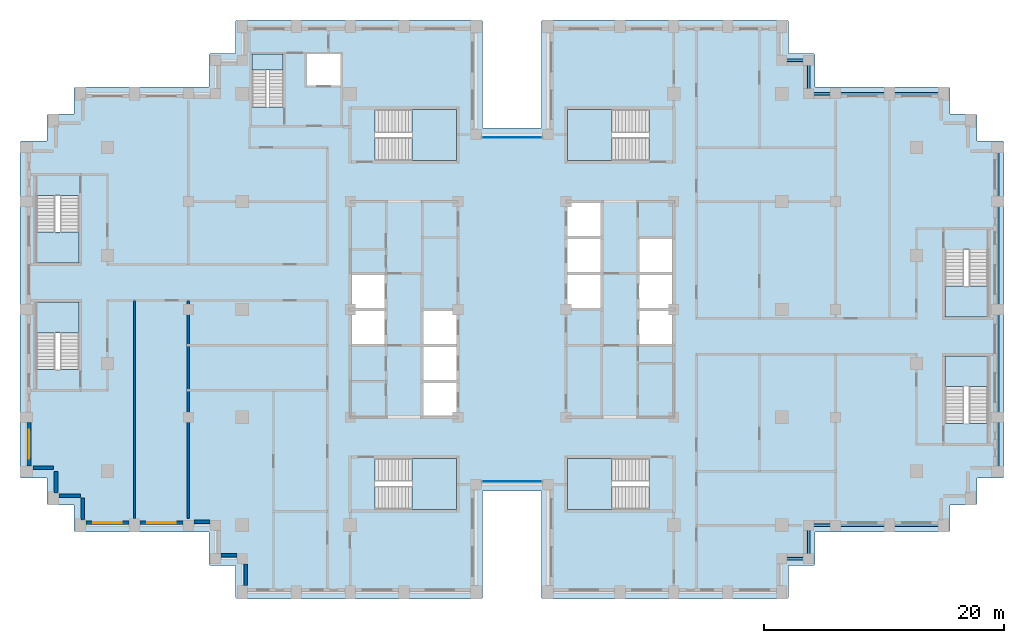
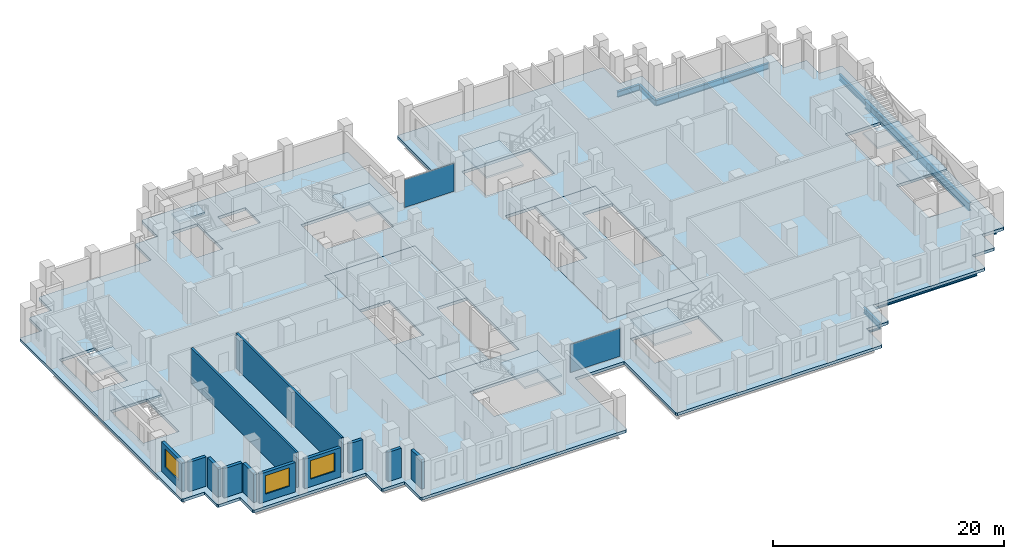
# One storey, part 5 of 15: 14 beams, 12 slabs, 12 walls, 3 windows, 2 plates, 3 openings, 11 elements without a shape of their own.
"""IFC4 building model written with IfcOpenShell, lengths in metres."""

from ifc_helpers import new_model, si_unit, direction, frame, frame_2d, origin, origin_2d, place, context, subcontext, project, spatial, polyline, rectangle, i_section, outline, extrude, material, layer, layer_set, material_profile, profile_set, type_object, element, fill, aggregate, save


model = new_model("IFC4")

# Units and contexts
model_context = context("Model", 3, precision=1e-05, world=origin(), true_north=direction((0.0, 1.0)))
body_context = subcontext(model_context, "Body", "Model", "MODEL_VIEW")
ifc_project = project(units=[si_unit("LENGTHUNIT", "METRE"), si_unit("AREAUNIT", "SQUARE_METRE"), si_unit("VOLUMEUNIT", "CUBIC_METRE"), si_unit("PLANEANGLEUNIT", "RADIAN"), si_unit("MASSUNIT", "GRAM", prefix="KILO")], contexts=[model_context])

# Site, building, storey
site_placement = place(None, origin())
site = spatial("IfcSite", under=ifc_project, at=site_placement, CompositionType="ELEMENT")
building_placement = place(site_placement, origin())
building = spatial("IfcBuilding", under=site, at=building_placement, Name="Corbelhall Arena Tower", CompositionType="ELEMENT")
storey_placement = place(building_placement, frame((0.0, 0.0, 130.0)))
storey = spatial("IfcBuildingStorey", under=building, at=storey_placement, Name="L24", CompositionType="ELEMENT", Elevation=130.0)

# Beams
ifc_material_1 = material(Name="Steel ASTM A992 Gr50", Category="steel")
ifc_material_profile_1 = material_profile(ifc_material_1, i_section(OverallWidth=0.22900390625, OverallDepth=0.612060546875, WebThickness=0.011962890625, FlangeThickness=0.01953125, at=origin_2d()))
ifc_profile_set_1 = profile_set([ifc_material_profile_1], Name="Steel ASTM A992 Gr50")
beam_type_1 = type_object("IfcBeamType", Name="ST-SPANDREL-W24x84", PredefinedType="SPANDREL", material=ifc_profile_set_1)
for number, where, z_axis, x_axis, name in (
    (1, (40.5, 13.5, -0.60595703125), (0.0, -1.0, 0.0), (1.0, 0.0, 0.0), "Beam SP 10"),
    (2, (40.5, -9.0, -0.60595703125), (0.0, -1.0, 0.0), (1.0, 0.0, 0.0), "Beam SP 11"),
    (3, (31.5, 18.0, -0.60595703125), (1.0, 0.0, 0.0), (0.0, 1.0, 0.0), "Beam SP 12"),
    (4, (31.5, -18.0, -0.60595703125), (-1.0, 0.0, 0.0), (0.0, -1.0, 0.0), "Beam SP 13"),
    (5, (36.0, -18.0, -0.60595703125), (-1.0, 0.0, 0.0), (0.0, -1.0, 0.0), "Beam SP 14"),
    (6, (27.0, 18.0, -0.60595703125), (1.0, 0.0, 0.0), (0.0, 1.0, 0.0), "Beam SP 15"),
):
    element("IfcBeam", number, at=place(storey_placement, frame(where, z_axis=z_axis, x_axis=x_axis)), inside=storey, type_object=beam_type_1, Name=name, PredefinedType="SPANDREL", context=body_context, shape_type="SweptSolid", body=[
        extrude(i_section(OverallWidth=0.22900390625, OverallDepth=0.612060546875, WebThickness=0.011962890625, FlangeThickness=0.01953125, at=origin_2d()), origin(), (0.0, 0.0, 1.0), 4.5),
    ])
for number, where, z_axis, x_axis, name in (
    (7, (27.0, -18.0, -0.60595703125), (-1.0, 0.0, 0.0), (0.0, -1.0, 0.0), "Beam SP 16"),
    (8, (22.5, 20.800048828125, -0.60595703125), (1.0, 0.0, 0.0), (0.0, 1.0, 0.0), "Beam SP 43"),
):
    element("IfcBeam", number, at=place(storey_placement, frame(where, z_axis=z_axis, x_axis=x_axis)), inside=storey, type_object=beam_type_1, Name=name, PredefinedType="SPANDREL", context=body_context, shape_type="SweptSolid", body=[
        extrude(i_section(OverallWidth=0.22900390625, OverallDepth=0.612060546875, WebThickness=0.011962890625, FlangeThickness=0.01953125, at=origin_2d()), origin(), (0.0, 0.0, 1.0), 2.25),
    ])
beam_1_placement = place(storey_placement, frame((24.75, 20.800048828125, -0.60595703125), z_axis=(0.0, -1.0, 0.0), x_axis=(1.0, 0.0, 0.0)))
element("IfcBeam", 9, at=beam_1_placement, inside=storey, type_object=beam_type_1, Name="Beam SP 44", PredefinedType="SPANDREL", context=body_context, shape_type="SweptSolid", body=[
    extrude(i_section(OverallWidth=0.22900390625, OverallDepth=0.612060546875, WebThickness=0.011962890625, FlangeThickness=0.01953125, at=origin_2d()), origin(), (0.0, 0.0, 1.0), 2.800048828125),
])
for number, where, z_axis, x_axis, name in (
    (10, (24.75, 18.0, -0.60595703125), (1.0, 0.0, 0.0), (0.0, 1.0, 0.0), "Beam SP 45"),
    (11, (24.75, -20.800048828125, -0.60595703125), (-1.0, 0.0, 0.0), (0.0, -1.0, 0.0), "Beam SP 50"),
):
    element("IfcBeam", number, at=place(storey_placement, frame(where, z_axis=z_axis, x_axis=x_axis)), inside=storey, type_object=beam_type_1, Name=name, PredefinedType="SPANDREL", context=body_context, shape_type="SweptSolid", body=[
        extrude(i_section(OverallWidth=0.22900390625, OverallDepth=0.612060546875, WebThickness=0.011962890625, FlangeThickness=0.01953125, at=origin_2d()), origin(), (0.0, 0.0, 1.0), 2.25),
    ])
beam_2_placement = place(storey_placement, frame((24.75, -18.0, -0.60595703125), z_axis=(0.0, -1.0, 0.0), x_axis=(1.0, 0.0, 0.0)))
element("IfcBeam", 12, at=beam_2_placement, inside=storey, type_object=beam_type_1, Name="Beam SP 51", PredefinedType="SPANDREL", context=body_context, shape_type="SweptSolid", body=[
    extrude(i_section(OverallWidth=0.22900390625, OverallDepth=0.612060546875, WebThickness=0.011962890625, FlangeThickness=0.01953125, at=origin_2d()), origin(), (0.0, 0.0, 1.0), 2.800048828125),
])
ifc_material_profile_2 = material_profile(ifc_material_1, i_section(OverallWidth=0.2919921875, OverallDepth=0.845703125, WebThickness=0.015380859375, FlangeThickness=0.0244140625, at=origin_2d()))
ifc_profile_set_2 = profile_set([ifc_material_profile_2], Name="Steel ASTM A992 Gr50")
beam_type_2 = type_object("IfcBeamType", Name="ST-SPANDREL-W33x141", PredefinedType="SPANDREL", material=ifc_profile_set_2)
for number, where, z_axis, x_axis, name in (
    (13, (40.5, 0.0, -0.722900390625), (0.0, -1.0, 0.0), (1.0, 0.0, 0.0), "Beam SP 8"),
    (14, (40.5, 9.0, -0.722900390625), (0.0, -1.0, 0.0), (1.0, 0.0, 0.0), "Beam SP 9"),
):
    element("IfcBeam", number, at=place(storey_placement, frame(where, z_axis=z_axis, x_axis=x_axis)), inside=storey, type_object=beam_type_2, Name=name, PredefinedType="SPANDREL", context=body_context, shape_type="SweptSolid", body=[
        extrude(i_section(OverallWidth=0.2919921875, OverallDepth=0.845703125, WebThickness=0.015380859375, FlangeThickness=0.0244140625, at=origin_2d()), origin(), (0.0, 0.0, 1.0), 9.0),
    ])

# Curtain wall, plate
ifc_material_2 = material(Name="Aluminium black anodised", Category="aluminium")
ifc_layer_1 = layer(ifc_material_2, 0.199951171875)
ifc_layer_set_1 = layer_set([ifc_layer_1], Name="EV-CW1 Slot back wall")
curtain_wall_type = type_object("IfcCurtainWallType", Name="EV-CW1 Slot back wall", PredefinedType="NOTDEFINED", material=ifc_layer_set_1)
curtain_wall_1_placement = place(storey_placement, origin())
curtain_wall_1 = element("IfcCurtainWall", 15, at=curtain_wall_1_placement, inside=storey, type_object=curtain_wall_type, Name="Curtain wall CW1", PredefinedType="NOTDEFINED")
ifc_material_3 = material(Name="Glass dark tinted laminated", Category="glass")
ifc_layer_2 = layer(ifc_material_3, 0.028076171875)
ifc_layer_set_2 = layer_set([ifc_layer_2], Name="EV-CW1-PANEL")
plate_type = type_object("IfcPlateType", Name="EV-CW1-PANEL", PredefinedType="CURTAIN_PANEL", material=ifc_layer_set_2)
plate_1_placement = place(storey_placement, frame((0.0, -14.35009765625, 0.0751953125), z_axis=(0.0, 0.0, 1.0), x_axis=(1.0, 0.0, 0.0)))
plate_1 = element("IfcPlate", 16, at=plate_1_placement, type_object=plate_type, Name="CW1 panel 1.1", PredefinedType="CURTAIN_PANEL", context=body_context, shape_type="SweptSolid", body=[
    extrude(rectangle(XDim=4.949951171875, YDim=0.028076171875, at=origin_2d()), origin(), (0.0, 0.0, 1.0), 2.949951171875),
])
aggregate(curtain_wall_1, [plate_1])

curtain_wall_2_placement = place(storey_placement, origin())
curtain_wall_2 = element("IfcCurtainWall", 17, at=curtain_wall_2_placement, inside=storey, type_object=curtain_wall_type, Name="Curtain wall CW1", PredefinedType="NOTDEFINED")
plate_2_placement = place(storey_placement, frame((0.0, 14.35009765625, 0.0751953125), z_axis=(0.0, 0.0, 1.0), x_axis=(-1.0, 0.0, 0.0)))
plate_2 = element("IfcPlate", 18, at=plate_2_placement, type_object=plate_type, Name="CW1 panel 1.1", PredefinedType="CURTAIN_PANEL", context=body_context, shape_type="SweptSolid", body=[
    extrude(rectangle(XDim=4.949951171875, YDim=0.028076171875, at=origin_2d()), origin(), (0.0, 0.0, 1.0), 2.949951171875),
])
aggregate(curtain_wall_2, [plate_2])

# Slabs
ifc_material_4 = material(Name="Concrete C40/50", Category="concrete")
ifc_layer_3 = layer(ifc_material_4, 0.300048828125)
ifc_layer_set_3 = layer_set([ifc_layer_3], Name="IN-SL-CORE")
slab_type_1 = type_object("IfcSlabType", Name="IN-SL-CORE", PredefinedType="FLOOR", material=ifc_layer_set_3)
slab_1_placement = place(storey_placement, frame((0.0, 0.0, -0.300048828125)))
element("IfcSlab", 19, at=slab_1_placement, inside=storey, type_object=slab_type_1, Name="Core floor W", PredefinedType="FLOOR", context=body_context, shape_type="SweptSolid", body=[
    extrude(outline(polyline([(-7.5, 0.0), (-4.5, 0.0), (-4.5, 9.0), (-13.5, 9.0), (-13.5, 3.0), (-10.5, 3.0), (-10.5, 0.0), (-10.5, -3.0), (-13.5, -3.0), (-13.5, -9.0), (-7.5, -9.0), (-7.5, -6.0), (-7.5, -3.0), (-7.5, 0.0)])), origin(), (0.0, 0.0, 1.0), 0.300048828125),
])
slab_2_placement = place(storey_placement, frame((0.0, 0.0, -0.300048828125)))
element("IfcSlab", 20, at=slab_2_placement, inside=storey, type_object=slab_type_1, Name="Core floor E", PredefinedType="FLOOR", context=body_context, shape_type="SweptSolid", body=[
    extrude(outline(polyline([(7.5, 0.0), (4.5, 0.0), (4.5, -9.0), (13.5, -9.0), (13.5, -3.0), (10.5, -3.0), (10.5, 0.0), (10.5, 3.0), (10.5, 6.0), (13.5, 6.0), (13.5, 9.0), (7.5, 9.0), (7.5, 6.0), (7.5, 3.0), (7.5, 0.0)])), origin(), (0.0, 0.0, 1.0), 0.300048828125),
])

# Stair, slab
stair_type = type_object("IfcStairType", Name="IN-ST-TOWER", PredefinedType="HALF_TURN_STAIR", material=ifc_material_4)
stair_1_placement = place(storey_placement, origin())
stair_1 = element("IfcStair", 21, at=stair_1_placement, inside=storey, type_object=stair_type, Name="L24 Exit stair ST1", PredefinedType="HALF_TURN_STAIR")
ifc_layer_4 = layer(ifc_material_4, 0.199951171875)
ifc_layer_set_4 = layer_set([ifc_layer_4], Name="IN-SL-LANDING")
slab_type_2 = type_object("IfcSlabType", Name="IN-SL-LANDING", PredefinedType="LANDING", material=ifc_layer_set_4)
slab_3_placement = place(storey_placement, frame((0.0, 0.0, 1.800048828125)))
slab_3 = element("IfcSlab", 22, at=slab_3_placement, type_object=slab_type_2, Name="ST1 landing 1", PredefinedType="LANDING", context=body_context, shape_type="SweptSolid", body=[
    extrude(outline(polyline([(-8.344970703125, 12.425048828125), (-4.625, 12.425048828125), (-4.625, 16.675048828125), (-8.344970703125, 16.675048828125), (-8.344970703125, 12.425048828125)])), origin(), (0.0, 0.0, 1.0), 0.199951171875),
])
aggregate(stair_1, [slab_3])

stair_2_placement = place(storey_placement, origin())
stair_2 = element("IfcStair", 23, at=stair_2_placement, inside=storey, type_object=stair_type, Name="L24 Exit stair ST2", PredefinedType="HALF_TURN_STAIR")
slab_4_placement = place(storey_placement, frame((0.0, 0.0, 1.800048828125)))
slab_4 = element("IfcSlab", 24, at=slab_4_placement, type_object=slab_type_2, Name="ST2 landing 1", PredefinedType="LANDING", context=body_context, shape_type="SweptSolid", body=[
    extrude(outline(polyline([(-8.344970703125, -16.675048828125), (-4.625, -16.675048828125), (-4.625, -12.425048828125), (-8.344970703125, -12.425048828125), (-8.344970703125, -16.675048828125)])), origin(), (0.0, 0.0, 1.0), 0.199951171875),
])
aggregate(stair_2, [slab_4])

stair_3_placement = place(storey_placement, origin())
stair_3 = element("IfcStair", 25, at=stair_3_placement, inside=storey, type_object=stair_type, Name="L24 Exit stair ST3", PredefinedType="HALF_TURN_STAIR")
slab_5_placement = place(storey_placement, frame((0.0, 0.0, 1.800048828125)))
slab_5 = element("IfcSlab", 26, at=slab_5_placement, type_object=slab_type_2, Name="ST3 landing 1", PredefinedType="LANDING", context=body_context, shape_type="SweptSolid", body=[
    extrude(outline(polyline([(8.344970703125, 16.675048828125), (4.625, 16.675048828125), (4.625, 12.425048828125), (8.344970703125, 12.425048828125), (8.344970703125, 16.675048828125)])), origin(), (0.0, 0.0, 1.0), 0.199951171875),
])
aggregate(stair_3, [slab_5])

stair_4_placement = place(storey_placement, origin())
stair_4 = element("IfcStair", 27, at=stair_4_placement, inside=storey, type_object=stair_type, Name="L24 Exit stair ST4", PredefinedType="HALF_TURN_STAIR")
slab_6_placement = place(storey_placement, frame((0.0, 0.0, 1.800048828125)))
slab_6 = element("IfcSlab", 28, at=slab_6_placement, type_object=slab_type_2, Name="ST4 landing 1", PredefinedType="LANDING", context=body_context, shape_type="SweptSolid", body=[
    extrude(outline(polyline([(8.344970703125, -12.425048828125), (4.625, -12.425048828125), (4.625, -16.675048828125), (8.344970703125, -16.675048828125), (8.344970703125, -12.425048828125)])), origin(), (0.0, 0.0, 1.0), 0.199951171875),
])
aggregate(stair_4, [slab_6])

stair_5_placement = place(storey_placement, origin())
stair_5 = element("IfcStair", 29, at=stair_5_placement, inside=storey, type_object=stair_type, Name="L24 Exit stair SC1", PredefinedType="HALF_TURN_STAIR")
slab_7_placement = place(storey_placement, frame((0.0, 0.0, 1.800048828125)))
slab_7 = element("IfcSlab", 30, at=slab_7_placement, type_object=slab_type_2, Name="SC1 landing 1", PredefinedType="LANDING", context=body_context, shape_type="SweptSolid", body=[
    extrude(outline(polyline([(-39.699951171875, 6.445068359375), (-39.699951171875, 3.875), (-36.125, 3.875), (-36.125, 6.445068359375), (-39.699951171875, 6.445068359375)])), origin(), (0.0, 0.0, 1.0), 0.199951171875),
])
aggregate(stair_5, [slab_7])

stair_6_placement = place(storey_placement, origin())
stair_6 = element("IfcStair", 31, at=stair_6_placement, inside=storey, type_object=stair_type, Name="L24 Exit stair SC2", PredefinedType="HALF_TURN_STAIR")
slab_8_placement = place(storey_placement, frame((0.0, 0.0, 1.800048828125)))
slab_8 = element("IfcSlab", 32, at=slab_8_placement, type_object=slab_type_2, Name="SC2 landing 1", PredefinedType="LANDING", context=body_context, shape_type="SweptSolid", body=[
    extrude(outline(polyline([(-36.125, -1.945068359375), (-36.125, 0.625), (-39.699951171875, 0.625), (-39.699951171875, -1.945068359375), (-36.125, -1.945068359375)])), origin(), (0.0, 0.0, 1.0), 0.199951171875),
])
aggregate(stair_6, [slab_8])

stair_7_placement = place(storey_placement, origin())
stair_7 = element("IfcStair", 33, at=stair_7_placement, inside=storey, type_object=stair_type, Name="L24 Exit stair SD1", PredefinedType="HALF_TURN_STAIR")
slab_9_placement = place(storey_placement, frame((0.0, 0.0, 1.800048828125)))
slab_9 = element("IfcSlab", 34, at=slab_9_placement, type_object=slab_type_2, Name="SD1 landing 1", PredefinedType="LANDING", context=body_context, shape_type="SweptSolid", body=[
    extrude(outline(polyline([(39.699951171875, -6.445068359375), (39.699951171875, -3.875), (36.125, -3.875), (36.125, -6.445068359375), (39.699951171875, -6.445068359375)])), origin(), (0.0, 0.0, 1.0), 0.199951171875),
])
aggregate(stair_7, [slab_9])

stair_8_placement = place(storey_placement, origin())
stair_8 = element("IfcStair", 35, at=stair_8_placement, inside=storey, type_object=stair_type, Name="L24 Exit stair SD2", PredefinedType="HALF_TURN_STAIR")
slab_10_placement = place(storey_placement, frame((0.0, 0.0, 1.800048828125)))
slab_10 = element("IfcSlab", 36, at=slab_10_placement, type_object=slab_type_2, Name="SD2 landing 1", PredefinedType="LANDING", context=body_context, shape_type="SweptSolid", body=[
    extrude(outline(polyline([(36.125, 1.945068359375), (36.125, -0.625), (39.699951171875, -0.625), (39.699951171875, 1.945068359375), (36.125, 1.945068359375)])), origin(), (0.0, 0.0, 1.0), 0.199951171875),
])
aggregate(stair_8, [slab_10])

stair_9_placement = place(storey_placement, origin())
stair_9 = element("IfcStair", 37, at=stair_9_placement, inside=storey, type_object=stair_type, Name="L24 Exit stair ST5", PredefinedType="HALF_TURN_STAIR")
slab_11_placement = place(storey_placement, frame((0.0, 0.0, 1.800048828125)))
slab_11 = element("IfcSlab", 38, at=slab_11_placement, type_object=slab_type_2, Name="ST5 landing 1", PredefinedType="LANDING", context=body_context, shape_type="SweptSolid", body=[
    extrude(outline(polyline([(-19.094970703125, 19.97998046875), (-19.094970703125, 21.300048828125), (-21.695068359375, 21.300048828125), (-21.695068359375, 19.97998046875), (-19.094970703125, 19.97998046875)])), origin(), (0.0, 0.0, 1.0), 0.199951171875),
])
aggregate(stair_9, [slab_11])

# Slab
ifc_layer_5 = layer(ifc_material_4, 0.300048828125)
ifc_layer_set_5 = layer_set([ifc_layer_5], Name="ST-SLAB-FLOOR-300")
slab_type_3 = type_object("IfcSlabType", Name="ST-SLAB-FLOOR-300", PredefinedType="FLOOR", material=ifc_layer_set_5)
slab_12_placement = place(storey_placement, frame((0.0, 0.0, -0.300048828125)))
element("IfcSlab", 39, at=slab_12_placement, inside=storey, type_object=slab_type_3, Name="Floor slab L24 1", PredefinedType="FLOOR", context=body_context, shape_type="SweptSolid", body=[
    extrude(outline(polyline([(25.300048828125, 18.550048828125), (25.300048828125, 21.25), (25.199951171875, 21.35009765625), (23.050048828125, 21.35009765625), (23.050048828125, 24.050048828125), (22.949951171875, 24.14990234375), (2.550048828125, 24.14990234375), (2.449951171875, 24.050048828125), (2.449951171875, 15.14990234375), (-2.449951171875, 15.14990234375), (-2.449951171875, 24.050048828125), (-2.550048828125, 24.14990234375), (-22.949951171875, 24.14990234375), (-23.050048828125, 24.050048828125), (-23.050048828125, 21.35009765625), (-25.199951171875, 21.35009765625), (-25.300048828125, 21.25), (-25.300048828125, 18.550048828125), (-36.449951171875, 18.550048828125), (-36.550048828125, 18.449951171875), (-36.550048828125, 16.300048828125), (-38.699951171875, 16.300048828125), (-38.800048828125, 16.199951171875), (-38.800048828125, 14.050048828125), (-40.949951171875, 14.050048828125), (-41.050048828125, 13.949951171875), (-41.050048828125, -13.949951171875), (-40.949951171875, -14.050048828125), (-38.800048828125, -14.050048828125), (-38.800048828125, -16.199951171875), (-38.699951171875, -16.300048828125), (-36.550048828125, -16.300048828125), (-36.550048828125, -18.449951171875), (-36.449951171875, -18.550048828125), (-25.300048828125, -18.550048828125), (-25.300048828125, -21.25), (-25.199951171875, -21.35009765625), (-23.050048828125, -21.35009765625), (-23.050048828125, -24.050048828125), (-22.949951171875, -24.14990234375), (-2.550048828125, -24.14990234375), (-2.449951171875, -24.050048828125), (-2.449951171875, -15.14990234375), (2.449951171875, -15.14990234375), (2.449951171875, -24.050048828125), (2.550048828125, -24.14990234375), (22.949951171875, -24.14990234375), (23.050048828125, -24.050048828125), (23.050048828125, -21.35009765625), (25.199951171875, -21.35009765625), (25.300048828125, -21.25), (25.300048828125, -18.550048828125), (36.449951171875, -18.550048828125), (36.550048828125, -18.449951171875), (36.550048828125, -16.300048828125), (38.699951171875, -16.300048828125), (38.800048828125, -16.199951171875), (38.800048828125, -14.050048828125), (40.949951171875, -14.050048828125), (41.050048828125, -13.949951171875), (41.050048828125, 13.949951171875), (40.949951171875, 14.050048828125), (38.800048828125, 14.050048828125), (38.800048828125, 16.199951171875), (38.699951171875, 16.300048828125), (36.550048828125, 16.300048828125), (36.550048828125, 18.449951171875), (36.449951171875, 18.550048828125), (25.300048828125, 18.550048828125)]), holes=[polyline([(-13.5, 9.0), (-13.5, -9.0), (-4.5, -9.0), (-4.5, 9.0), (-13.5, 9.0)]), polyline([(4.5, 9.0), (4.5, -9.0), (13.5, -9.0), (13.5, 9.0), (4.5, 9.0)]), polyline([(-4.625, 16.675048828125), (-11.422119140625, 16.675048828125), (-11.422119140625, 12.425048828125), (-4.625, 12.425048828125), (-4.625, 16.675048828125)]), polyline([(-4.625, -16.675048828125), (-4.625, -12.425048828125), (-11.422119140625, -12.425048828125), (-11.422119140625, -16.675048828125), (-4.625, -16.675048828125)]), polyline([(11.422119140625, 16.675048828125), (4.625, 16.675048828125), (4.625, 12.425048828125), (11.422119140625, 12.425048828125), (11.422119140625, 16.675048828125)]), polyline([(11.422119140625, -16.675048828125), (11.422119140625, -12.425048828125), (4.625, -12.425048828125), (4.625, -16.675048828125), (11.422119140625, -16.675048828125)]), polyline([(-36.125, 3.875), (-36.125, 9.52197265625), (-39.699951171875, 9.52197265625), (-39.699951171875, 3.875), (-36.125, 3.875)]), polyline([(-36.125, 0.625), (-39.699951171875, 0.625), (-39.699951171875, -5.02197265625), (-36.125, -5.02197265625), (-36.125, 0.625)]), polyline([(39.699951171875, -9.52197265625), (39.699951171875, -3.875), (36.125, -3.875), (36.125, -9.52197265625), (39.699951171875, -9.52197265625)]), polyline([(39.699951171875, 5.02197265625), (36.125, 5.02197265625), (36.125, -0.625), (39.699951171875, -0.625), (39.699951171875, 5.02197265625)]), polyline([(-21.695068359375, 21.300048828125), (-21.695068359375, 16.903076171875), (-19.094970703125, 16.903076171875), (-19.094970703125, 21.300048828125), (-21.695068359375, 21.300048828125)]), polyline([(-14.300048828125, 21.300048828125), (-17.10009765625, 21.300048828125), (-17.10009765625, 18.699951171875), (-14.300048828125, 18.699951171875), (-14.300048828125, 21.300048828125)])]), origin(), (0.0, 0.0, 1.0), 0.300048828125),
])

# Walls
ifc_material_5 = material(Name="Precast concrete C40/50 with granite facing", Category="masonry")
ifc_layer_6 = layer(ifc_material_5, 0.300048828125)
ifc_layer_set_6 = layer_set([ifc_layer_6], Name="EV-IW1 Infill panel 300")
wall_type_1 = type_object("IfcWallType", Name="EV-IW1 Infill panel 300", PredefinedType="SOLIDWALL", material=ifc_layer_set_6)
wall_1_placement = place(storey_placement, frame((-39.949951171875, -13.199951171875, 0.0), z_axis=(0.0, 0.0, 1.0), x_axis=(1.0, 0.0, 0.0)))
element("IfcWall", 40, at=wall_1_placement, inside=storey, type_object=wall_type_1, Name="Infill panel IW1", PredefinedType="SOLIDWALL", context=body_context, shape_type="SweptSolid", body=[
    extrude(rectangle(XDim=1.699951171875, YDim=0.300048828125, at=frame_2d((0.85009765625, 0.0))), origin(), (0.0, 0.0, 1.0), 3.10009765625),
])
for number, where, z_axis, x_axis, name in (
    (41, (-38.050048828125, -15.300048828125, 0.0), (0.0, 0.0, 1.0), (0.0, 1.0, 0.0), "Infill panel IW1"),
    (42, (-37.800048828125, -15.550048828125, 0.0), (0.0, 0.0, 1.0), (1.0, 0.0, 0.0), "Infill panel IW1"),
    (43, (-35.800048828125, -17.550048828125, 0.0), (0.0, 0.0, 1.0), (0.0, 1.0, 0.0), "Infill panel IW1"),
):
    element("IfcWall", number, at=place(storey_placement, frame(where, z_axis=z_axis, x_axis=x_axis)), inside=storey, type_object=wall_type_1, Name=name, PredefinedType="SOLIDWALL", context=body_context, shape_type="SweptSolid", body=[
        extrude(rectangle(XDim=1.800048828125, YDim=0.300048828125, at=frame_2d((0.89990234375, 0.0))), origin(), (0.0, 0.0, 1.0), 3.10009765625),
    ])

# Wall, opening, window
wall_2_placement = place(storey_placement, frame((-40.300048828125, -9.449951171875, 0.0), z_axis=(0.0, 0.0, 1.0), x_axis=(0.0, -1.0, 0.0)))
wall_2 = element("IfcWall", 44, at=wall_2_placement, inside=storey, type_object=wall_type_1, Name="Infill panel IW1", PredefinedType="SOLIDWALL", context=body_context, shape_type="SweptSolid", body=[
    extrude(rectangle(XDim=3.60009765625, YDim=0.300048828125, at=frame_2d((1.800048828125, 0.0))), origin(), (0.0, 0.0, 1.0), 3.10009765625),
])
opening_1_placement = place(wall_2_placement, frame((0.60009765625, 0.0, 0.800048828125)))
opening_1 = element("IfcOpeningElement", 45, at=opening_1_placement, cuts=wall_2, Name="Opening WN1", PredefinedType="OPENING", context=body_context, shape_type="SweptSolid", body=[
    extrude(rectangle(XDim=2.39990234375, YDim=1.949951171875, at=frame_2d((1.199951171875, 0.97509765625))), frame((0.0, 0.14990234375, 0.0), z_axis=(0.0, -1.0, 0.0), x_axis=(1.0, 0.0, 0.0)), (0.0, 0.0, 1.0), 0.300048828125),
])
window_type = type_object("IfcWindowType", Name="EV-WN1 Office window", PartitioningType="SINGLE_PANEL", PredefinedType="WINDOW", material=ifc_material_2)
window_1_placement = place(opening_1_placement, origin())
window_1 = element("IfcWindow", 46, at=window_1_placement, inside=storey, type_object=window_type, Name="Window WN1", OverallHeight=1.949951171875, OverallWidth=2.39990234375, PartitioningType="SINGLE_PANEL", PredefinedType="WINDOW", context=body_context, shape_type="SweptSolid", body=[
    extrude(rectangle(XDim=2.39990234375, YDim=1.949951171875, at=frame_2d((1.199951171875, 0.97509765625))), frame((0.0, 0.030029296875, 0.0), z_axis=(0.0, -1.0, 0.0), x_axis=(1.0, 0.0, 0.0)), (0.0, 0.0, 1.0), 0.06005859375),
])
fill(opening_1, window_1)

wall_3_placement = place(storey_placement, frame((-35.550048828125, -17.800048828125, 0.0), z_axis=(0.0, 0.0, 1.0), x_axis=(1.0, 0.0, 0.0)))
wall_3 = element("IfcWall", 47, at=wall_3_placement, inside=storey, type_object=wall_type_1, Name="Infill panel IW1", PredefinedType="SOLIDWALL", context=body_context, shape_type="SweptSolid", body=[
    extrude(rectangle(XDim=3.60009765625, YDim=0.300048828125, at=frame_2d((1.800048828125, 0.0))), origin(), (0.0, 0.0, 1.0), 3.10009765625),
])
opening_2_placement = place(wall_3_placement, frame((0.60009765625, 0.0, 0.800048828125)))
opening_2 = element("IfcOpeningElement", 48, at=opening_2_placement, cuts=wall_3, Name="Opening WN1", PredefinedType="OPENING", context=body_context, shape_type="SweptSolid", body=[
    extrude(rectangle(XDim=2.39990234375, YDim=1.949951171875, at=frame_2d((1.199951171875, 0.97509765625))), frame((0.0, 0.14990234375, 0.0), z_axis=(0.0, -1.0, 0.0), x_axis=(1.0, 0.0, 0.0)), (0.0, 0.0, 1.0), 0.300048828125),
])
window_2_placement = place(opening_2_placement, origin())
window_2 = element("IfcWindow", 49, at=window_2_placement, inside=storey, type_object=window_type, Name="Window WN1", OverallHeight=1.949951171875, OverallWidth=2.39990234375, PartitioningType="SINGLE_PANEL", PredefinedType="WINDOW", context=body_context, shape_type="SweptSolid", body=[
    extrude(rectangle(XDim=2.39990234375, YDim=1.949951171875, at=frame_2d((1.199951171875, 0.97509765625))), frame((0.0, 0.030029296875, 0.0), z_axis=(0.0, -1.0, 0.0), x_axis=(1.0, 0.0, 0.0)), (0.0, 0.0, 1.0), 0.06005859375),
])
fill(opening_2, window_2)

wall_4_placement = place(storey_placement, frame((-31.050048828125, -17.800048828125, 0.0), z_axis=(0.0, 0.0, 1.0), x_axis=(1.0, 0.0, 0.0)))
wall_4 = element("IfcWall", 50, at=wall_4_placement, inside=storey, type_object=wall_type_1, Name="Infill panel IW1", PredefinedType="SOLIDWALL", context=body_context, shape_type="SweptSolid", body=[
    extrude(rectangle(XDim=3.60009765625, YDim=0.300048828125, at=frame_2d((1.800048828125, 0.0))), origin(), (0.0, 0.0, 1.0), 3.10009765625),
])
opening_3_placement = place(wall_4_placement, frame((0.60009765625, 0.0, 0.800048828125)))
opening_3 = element("IfcOpeningElement", 51, at=opening_3_placement, cuts=wall_4, Name="Opening WN1", PredefinedType="OPENING", context=body_context, shape_type="SweptSolid", body=[
    extrude(rectangle(XDim=2.39990234375, YDim=1.949951171875, at=frame_2d((1.199951171875, 0.97509765625))), frame((0.0, 0.14990234375, 0.0), z_axis=(0.0, -1.0, 0.0), x_axis=(1.0, 0.0, 0.0)), (0.0, 0.0, 1.0), 0.300048828125),
])
window_3_placement = place(opening_3_placement, origin())
window_3 = element("IfcWindow", 52, at=window_3_placement, inside=storey, type_object=window_type, Name="Window WN1", OverallHeight=1.949951171875, OverallWidth=2.39990234375, PartitioningType="SINGLE_PANEL", PredefinedType="WINDOW", context=body_context, shape_type="SweptSolid", body=[
    extrude(rectangle(XDim=2.39990234375, YDim=1.949951171875, at=frame_2d((1.199951171875, 0.97509765625))), frame((0.0, 0.030029296875, 0.0), z_axis=(0.0, -1.0, 0.0), x_axis=(1.0, 0.0, 0.0)), (0.0, 0.0, 1.0), 0.06005859375),
])
fill(opening_3, window_3)

# Walls
for number, where, z_axis, x_axis, name in (
    (53, (-26.550048828125, -17.699951171875, 0.0), (0.0, 0.0, 1.0), (1.0, 0.0, 0.0), "Infill panel IW1"),
    (54, (-24.300048828125, -20.5, 0.0), (0.0, 0.0, 1.0), (1.0, 0.0, 0.0), "Infill panel IW1"),
):
    element("IfcWall", number, at=place(storey_placement, frame(where, z_axis=z_axis, x_axis=x_axis)), inside=storey, type_object=wall_type_1, Name=name, PredefinedType="SOLIDWALL", context=body_context, shape_type="SweptSolid", body=[
        extrude(rectangle(XDim=1.35009765625, YDim=0.300048828125, at=frame_2d((0.675048828125, 0.0))), origin(), (0.0, 0.0, 1.0), 3.10009765625),
    ])
wall_5_placement = place(storey_placement, frame((-22.199951171875, -21.25, 0.0), z_axis=(0.0, 0.0, 1.0), x_axis=(0.0, -1.0, 0.0)))
element("IfcWall", 55, at=wall_5_placement, inside=storey, type_object=wall_type_1, Name="Infill panel IW1", PredefinedType="SOLIDWALL", context=body_context, shape_type="SweptSolid", body=[
    extrude(rectangle(XDim=1.800048828125, YDim=0.300048828125, at=frame_2d((0.89990234375, 0.0))), origin(), (0.0, 0.0, 1.0), 3.10009765625),
])
ifc_material_6 = material(Name="Gypsum board on steel stud, acoustic", Category="steel")
ifc_layer_7 = layer(ifc_material_6, 0.199951171875)
ifc_layer_set_7 = layer_set([ifc_layer_7], Name="IN-W-DM200")
wall_type_2 = type_object("IfcWallType", Name="IN-W-DM200", PredefinedType="PARTITIONING", material=ifc_layer_set_7)
for number, where, z_axis, x_axis, name in (
    (56, (-31.5, 0.75, 0.0), (0.0, 0.0, 1.0), (0.0, -1.0, 0.0), "Partition 006"),
    (57, (-27.0, -17.449951171875, 0.0), (0.0, 0.0, 1.0), (0.0, 1.0, 0.0), "Partition 011"),
):
    element("IfcWall", number, at=place(storey_placement, frame(where, z_axis=z_axis, x_axis=x_axis)), inside=storey, type_object=wall_type_2, Name=name, PredefinedType="PARTITIONING", context=body_context, shape_type="SweptSolid", body=[
        extrude(rectangle(XDim=18.199951171875, YDim=0.199951171875, at=frame_2d((9.10009765625, 0.0))), origin(), (0.0, 0.0, 1.0), 3.699951171875),
    ])

save(model, "model.ifc")
